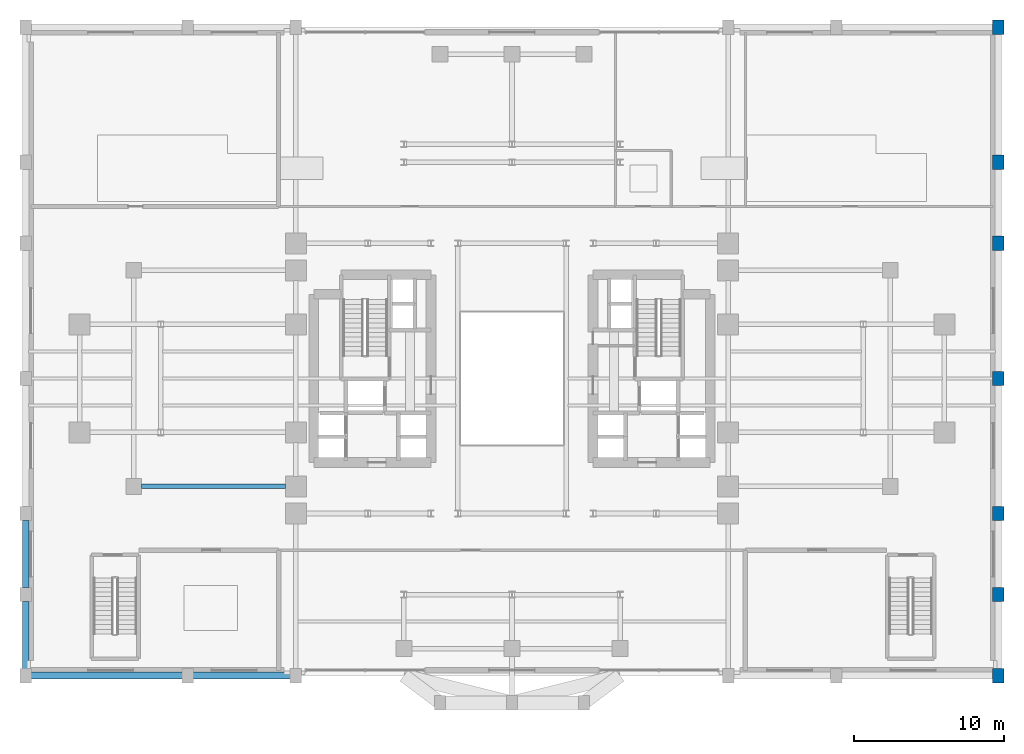
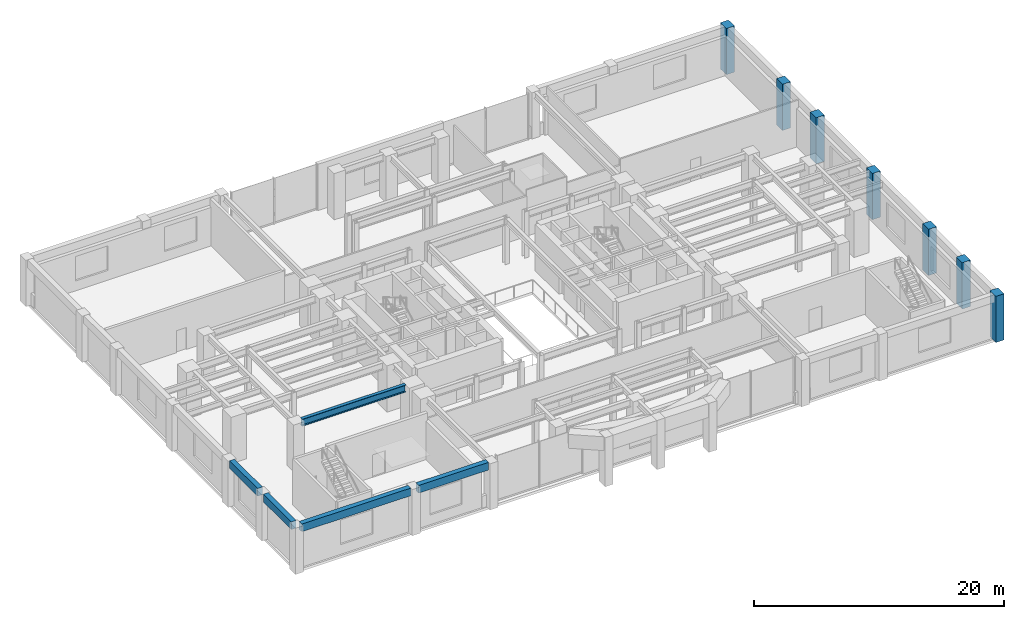
# One storey, part 3 of 14: 7 columns, 5 beams.
"""IFC4 building model written with IfcOpenShell, lengths in metres."""

from ifc_helpers import new_model, si_unit, direction, frame, origin, origin_2d, place, context, subcontext, project, spatial, rectangle, i_section, extrude, source, transform, mapped, material, material_profile, profile_set, type_object, element, save


model = new_model("IFC4")

# Units and contexts
model_context = context("Model", 3, precision=1e-05, world=origin(), true_north=direction((0.0, 1.0)))
body_context = subcontext(model_context, "Body", "Model", "MODEL_VIEW")
ifc_project = project(units=[si_unit("LENGTHUNIT", "METRE"), si_unit("AREAUNIT", "SQUARE_METRE"), si_unit("VOLUMEUNIT", "CUBIC_METRE"), si_unit("PLANEANGLEUNIT", "RADIAN"), si_unit("MASSUNIT", "GRAM", prefix="KILO")], contexts=[model_context])

# Site, building, storey
site_placement = place(None, origin())
site = spatial("IfcSite", under=ifc_project, at=site_placement, CompositionType="ELEMENT")
building_placement = place(site_placement, origin())
building = spatial("IfcBuilding", under=site, at=building_placement, Name="Keilestroom Media Tower", CompositionType="ELEMENT")
storey_placement = place(building_placement, frame((0.0, 0.0, 5.39990234375)))
storey = spatial("IfcBuildingStorey", under=building, at=storey_placement, Name="L01", CompositionType="ELEMENT", Elevation=5.39990234375)

# Columns
ifc_material_1 = material(Name="Precast concrete C40/50", Category="concrete")
ifc_material_profile_1 = material_profile(ifc_material_1, rectangle(XDim=0.75, YDim=0.949951171875, at=origin_2d()), Name="PC 950x750")
ifc_profile_set_1 = profile_set([ifc_material_profile_1], Name="Precast concrete C40/50")
column_type = type_object("IfcColumnType", Name="Structural-Column-PC-950x750", PredefinedType="COLUMN", material=ifc_profile_set_1)
shared_shape_1 = source(origin(), body_context, "Body", "SweptSolid", [
    extrude(rectangle(XDim=0.75, YDim=0.949951171875, at=origin_2d()), origin(), (0.0, 0.0, 1.0), 4.52001953125),
])
for number, where, z_axis, x_axis, name in (
    (1, (32.39990234375, -19.800048828125, 0.0), (0.0, 0.0, 1.0), (1.0, 0.0, 0.0), "L01 Column PC-1 (+32.4,-19.8)"),
    (2, (32.39990234375, -14.39990234375, 0.0), (0.0, 0.0, 1.0), (1.0, 0.0, 0.0), "L01 Column PC-1 (+32.4,-14.4)"),
    (3, (32.39990234375, -9.0, 0.0), (0.0, 0.0, 1.0), (1.0, 0.0, 0.0), "L01 Column PC-1 (+32.4,-9.0)"),
    (4, (32.39990234375, 0.0, 0.0), (0.0, 0.0, 1.0), (1.0, 0.0, 0.0), "L01 Column PC-1 (+32.4,+0.0)"),
    (5, (32.39990234375, 9.0, 0.0), (0.0, 0.0, 1.0), (1.0, 0.0, 0.0), "L01 Column PC-1 (+32.4,+9.0)"),
    (6, (32.39990234375, 14.39990234375, 0.0), (0.0, 0.0, 1.0), (1.0, 0.0, 0.0), "L01 Column PC-1 (+32.4,+14.4)"),
    (7, (32.39990234375, 23.39990234375, 0.0), (0.0, 0.0, 1.0), (1.0, 0.0, 0.0), "L01 Column PC-1 (+32.4,+23.4)"),
):
    element("IfcColumn", number, at=place(storey_placement, frame(where, z_axis=z_axis, x_axis=x_axis)), inside=storey, type_object=column_type, Name=name, PredefinedType="COLUMN", context=body_context, shape_type="MappedRepresentation", body=[
        mapped(shared_shape_1, transform((0.0, 0.0, 0.0), x_axis=(1.0, 0.0, 0.0), y_axis=(0.0, 1.0, 0.0), z_axis=(0.0, 0.0, 1.0), scale=1.0)),
    ])

# Beams
ifc_material_profile_2 = material_profile(ifc_material_1, rectangle(XDim=0.449951171875, YDim=0.75, at=origin_2d()), Name="PC 450x750")
ifc_profile_set_2 = profile_set([ifc_material_profile_2], Name="Precast concrete C40/50")
beam_type_1 = type_object("IfcBeamType", Name="Perimeter-Spandrel-Beam-PC-450x750", PredefinedType="SPANDREL", material=ifc_profile_set_2)
shared_shape_2 = source(origin(), body_context, "Body", "SweptSolid", [
    extrude(rectangle(XDim=0.449951171875, YDim=0.75, at=origin_2d()), origin(), (0.0, 0.0, 1.0), 10.08984375),
])
beam_1_placement = place(storey_placement, frame((-32.044921875, -19.800048828125, 4.14501953125), z_axis=(1.0, 0.0, 0.0), x_axis=(0.0, 1.0, 0.0)))
element("IfcBeam", 8, at=beam_1_placement, inside=storey, type_object=beam_type_1, Name="L01 Beam SPB-1 BM-L01-EW-001", PredefinedType="SPANDREL", context=body_context, shape_type="MappedRepresentation", body=[
    mapped(shared_shape_2, transform((0.0, 0.0, 0.0), x_axis=(1.0, 0.0, 0.0), y_axis=(0.0, 1.0, 0.0), z_axis=(0.0, 0.0, 1.0), scale=1.0)),
])
shared_shape_3 = source(origin(), body_context, "Body", "SweptSolid", [
    extrude(rectangle(XDim=0.449951171875, YDim=0.75, at=origin_2d()), origin(), (0.0, 0.0, 1.0), 6.490234375),
])
beam_2_placement = place(storey_placement, frame((-21.2451171875, -19.800048828125, 4.14501953125), z_axis=(1.0, 0.0, 0.0), x_axis=(0.0, 1.0, 0.0)))
element("IfcBeam", 9, at=beam_2_placement, inside=storey, type_object=beam_type_1, Name="L01 Beam SPB-1 BM-L01-EW-002", PredefinedType="SPANDREL", context=body_context, shape_type="MappedRepresentation", body=[
    mapped(shared_shape_3, transform((0.0, 0.0, 0.0), x_axis=(1.0, 0.0, 0.0), y_axis=(0.0, 1.0, 0.0), z_axis=(0.0, 0.0, 1.0), scale=1.0)),
])
shared_shape_4 = source(origin(), body_context, "Body", "SweptSolid", [
    extrude(rectangle(XDim=0.449951171875, YDim=0.75, at=origin_2d()), origin(), (0.0, 0.0, 1.0), 4.489990234375),
])
for number, where, z_axis, x_axis, name in (
    (10, (-32.39990234375, -19.344970703125, 4.14501953125), (0.0, 1.0, 0.0), (-1.0, 0.0, 0.0), "L01 Beam SPB-1 BM-L01-NS-045"),
    (11, (-32.39990234375, -13.945068359375, 4.14501953125), (0.0, 1.0, 0.0), (-1.0, 0.0, 0.0), "L01 Beam SPB-1 BM-L01-NS-046"),
):
    element("IfcBeam", number, at=place(storey_placement, frame(where, z_axis=z_axis, x_axis=x_axis)), inside=storey, type_object=beam_type_1, Name=name, PredefinedType="SPANDREL", context=body_context, shape_type="MappedRepresentation", body=[
        mapped(shared_shape_4, transform((0.0, 0.0, 0.0), x_axis=(1.0, 0.0, 0.0), y_axis=(0.0, 1.0, 0.0), z_axis=(0.0, 0.0, 1.0), scale=1.0)),
    ])
ifc_material_2 = material(Name="Steel S460", Category="steel")
ifc_material_profile_3 = material_profile(ifc_material_2, i_section(OverallWidth=0.300048828125, OverallDepth=0.699951171875, WebThickness=0.014404296875, FlangeThickness=0.031982421875, at=origin_2d()), Name="HEB 700")
ifc_profile_set_3 = profile_set([ifc_material_profile_3], Name="Steel S460")
beam_type_2 = type_object("IfcBeamType", Name="Primary-Structural-Girder-HEB-700", PredefinedType="BEAM", material=ifc_profile_set_3)
shared_shape_5 = source(origin(), body_context, "Body", "SweptSolid", [
    extrude(i_section(OverallWidth=0.300048828125, OverallDepth=0.699951171875, WebThickness=0.014404296875, FlangeThickness=0.031982421875, at=origin_2d()), origin(), (0.0, 0.0, 1.0), 9.614990234375),
])
beam_3_placement = place(storey_placement, frame((-24.695068359375, -7.199951171875, 4.170166015625), z_axis=(1.0, 0.0, 0.0), x_axis=(0.0, 1.0, 0.0)))
element("IfcBeam", 12, at=beam_3_placement, inside=storey, type_object=beam_type_2, Name="L01 Beam BG-2 BM-L01-EW-016", PredefinedType="BEAM", context=body_context, shape_type="MappedRepresentation", body=[
    mapped(shared_shape_5, transform((0.0, 0.0, 0.0), x_axis=(1.0, 0.0, 0.0), y_axis=(0.0, 1.0, 0.0), z_axis=(0.0, 0.0, 1.0), scale=1.0)),
])

save(model, "model.ifc")
